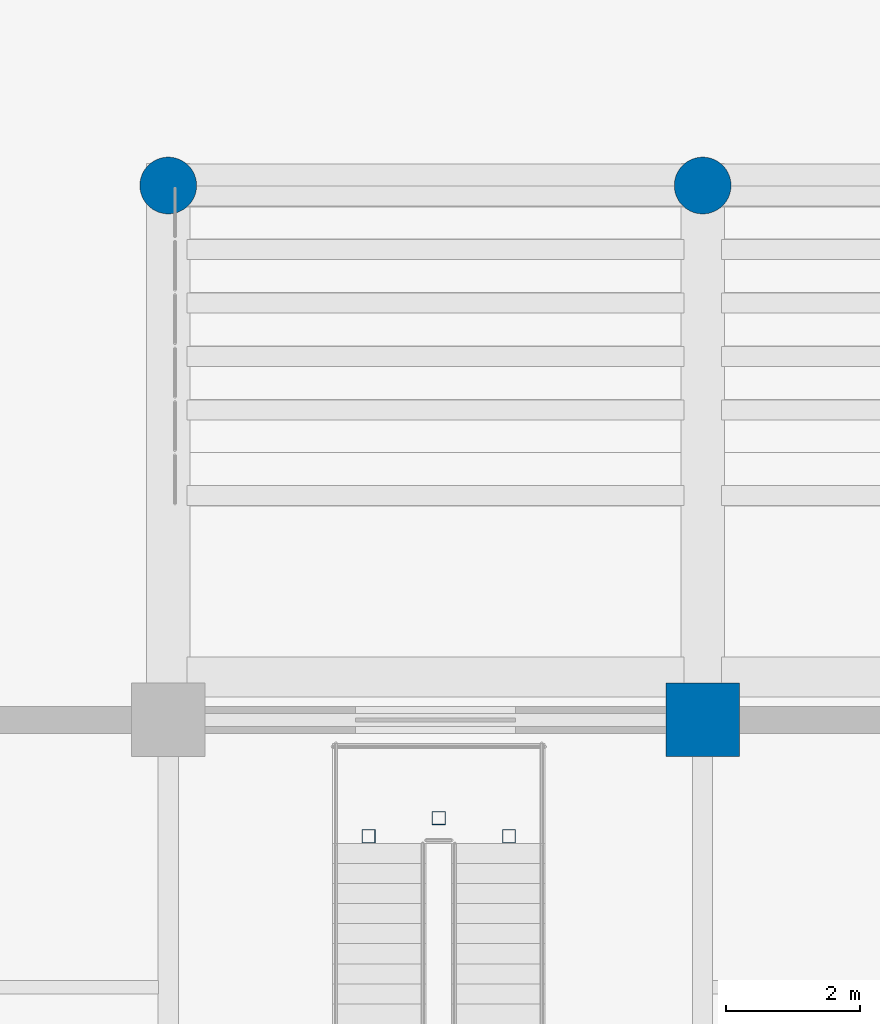
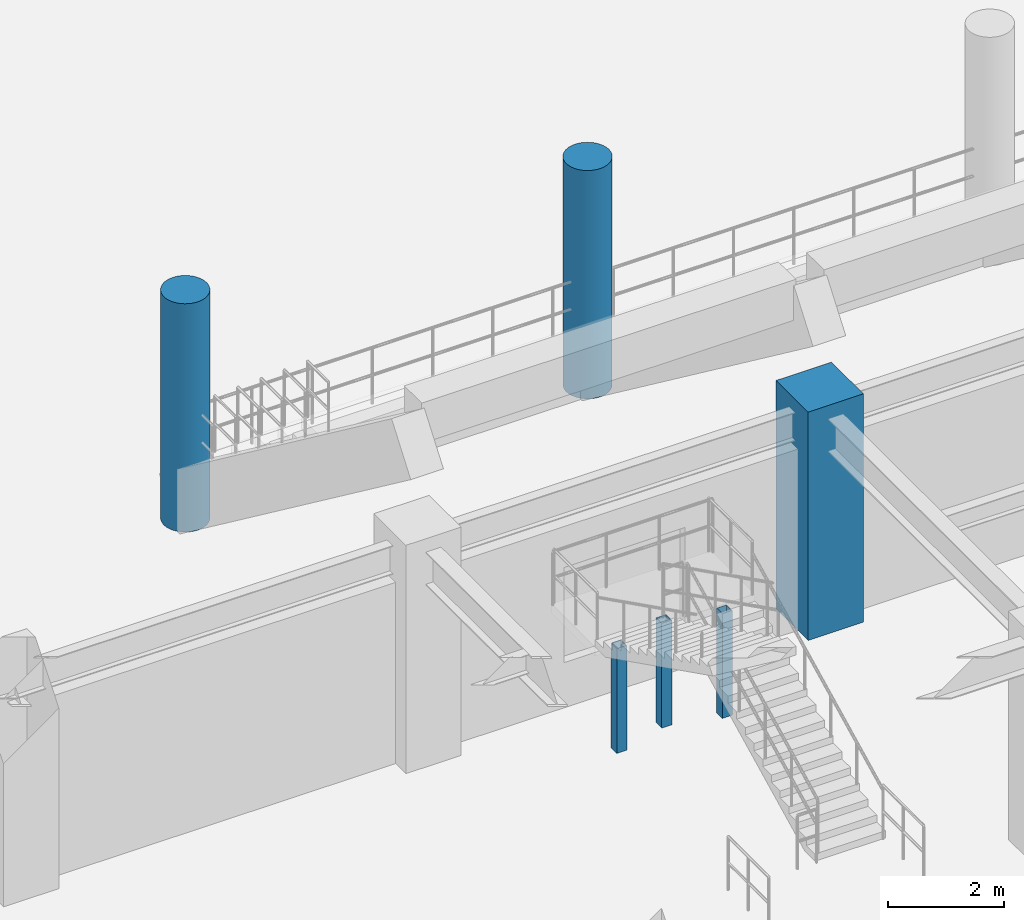
# One storey, part 4 of 125: 6 columns.
"""IFC4 building model written with IfcOpenShell, lengths in metres."""

from ifc_helpers import new_model, si_unit, direction, frame, origin, origin_2d, place, context, subcontext, project, spatial, rectangle, hollow_rectangle, circle, extrude, material, material_profile, profile_set, type_object, element, save


model = new_model("IFC4")

# Units and contexts
model_context = context("Model", 3, precision=1e-05, world=origin(), true_north=direction((0.0, 1.0)))
body_context = subcontext(model_context, "Body", "Model", "MODEL_VIEW")
ifc_project = project(units=[si_unit("LENGTHUNIT", "METRE"), si_unit("AREAUNIT", "SQUARE_METRE"), si_unit("VOLUMEUNIT", "CUBIC_METRE"), si_unit("PLANEANGLEUNIT", "RADIAN"), si_unit("MASSUNIT", "GRAM", prefix="KILO")], contexts=[model_context])

# Site, building, storey
site_placement = place(None, origin())
site = spatial("IfcSite", under=ifc_project, at=site_placement, CompositionType="ELEMENT")
building_placement = place(site_placement, origin())
building = spatial("IfcBuilding", under=site, at=building_placement, Name="Haebicheon Civic Stadium", CompositionType="ELEMENT")
storey_placement = place(building_placement, origin())
storey = spatial("IfcBuildingStorey", under=building, at=storey_placement, Name="L01", CompositionType="ELEMENT", Elevation=0.0)

# Columns
ifc_material_1 = material(Name="Concrete C40/50", Category="concrete")
ifc_material_profile_1 = material_profile(ifc_material_1, rectangle(XDim=1.10009765625, YDim=1.10009765625, at=origin_2d()), Name="RC-COL-1100x1100")
ifc_profile_set_1 = profile_set([ifc_material_profile_1], Name="Concrete C40/50")
column_type_1 = type_object("IfcColumnType", Name="COL-RC-1100", PredefinedType="COLUMN", material=ifc_profile_set_1)
column_placement = place(storey_placement, frame((88.0, 32.0, 0.0), z_axis=(0.0, 0.0, 1.0), x_axis=(1.0, 0.0, 0.0)))
element("IfcColumn", 1, at=column_placement, inside=storey, type_object=column_type_1, material=ifc_profile_set_1, Name="L01 column 12/E", PredefinedType="COLUMN", context=body_context, shape_type="SweptSolid", body=[
    extrude(rectangle(XDim=1.10009765625, YDim=1.10009765625, at=origin_2d()), origin(), (0.0, 0.0, 1.0), 4.800048828125),
])
ifc_material_2 = material(Name="Concrete C40/50", Category="concrete")
ifc_material_profile_2 = material_profile(ifc_material_2, circle(Radius=0.425048828125, at=origin_2d()), Name="RC-COL-D850")
ifc_profile_set_2 = profile_set([ifc_material_profile_2], Name="Concrete C40/50")
column_type_2 = type_object("IfcColumnType", Name="COL-RC-D850", PredefinedType="COLUMN", material=ifc_profile_set_2)
for number, where, z_axis, x_axis, name in (
    (2, (80.0, 40.0, 0.0), (0.0, 0.0, 1.0), (1.0, 0.0, 0.0), "Bowl/canopy support column 80/40 (L01)"),
    (3, (88.0, 40.0, 0.0), (0.0, 0.0, 1.0), (1.0, 0.0, 0.0), "Bowl/canopy support column 88/40 (L01)"),
):
    element("IfcColumn", number, at=place(storey_placement, frame(where, z_axis=z_axis, x_axis=x_axis)), inside=storey, type_object=column_type_2, material=ifc_profile_set_2, Name=name, PredefinedType="COLUMN", context=body_context, shape_type="SweptSolid", body=[
        extrude(circle(Radius=0.425048828125, at=origin_2d()), origin(), (0.0, 0.0, 1.0), 4.800048828125),
    ])
ifc_material_3 = material(Name="Steel SM355 (S355)", Category="steel")
ifc_material_profile_3 = material_profile(ifc_material_3, hollow_rectangle(XDim=0.199951171875, YDim=0.199951171875, WallThickness=0.009033203125, at=origin_2d()), Name="RHS-200x200x9.0")
ifc_profile_set_3 = profile_set([ifc_material_profile_3], Name="Steel SM355 (S355)")
column_type_3 = type_object("IfcColumnType", Name="COL-ST-RHS200", PredefinedType="COLUMN", material=ifc_profile_set_3)
for number, where, z_axis, x_axis, name in (
    (4, (83.0, 30.260009765625, 0.0), (0.0, 0.0, 1.0), (1.0, 0.0, 0.0), "VM-10 L01 vomitory landing support post A"),
    (5, (85.10009765625, 30.260009765625, 0.0), (0.0, 0.0, 1.0), (1.0, 0.0, 0.0), "VM-10 L01 vomitory landing support post B"),
    (6, (84.050048828125, 30.530029296875, 0.0), (0.0, 0.0, 1.0), (1.0, 0.0, 0.0), "VM-10 L01 vomitory landing support post C"),
):
    element("IfcColumn", number, at=place(storey_placement, frame(where, z_axis=z_axis, x_axis=x_axis)), inside=storey, type_object=column_type_3, material=ifc_profile_set_3, Name=name, PredefinedType="COLUMN", context=body_context, shape_type="SweptSolid", body=[
        extrude(hollow_rectangle(XDim=0.199951171875, YDim=0.199951171875, WallThickness=0.009033203125, at=origin_2d()), origin(), (0.0, 0.0, 1.0), 2.199951171875),
    ])

save(model, "model.ifc")
